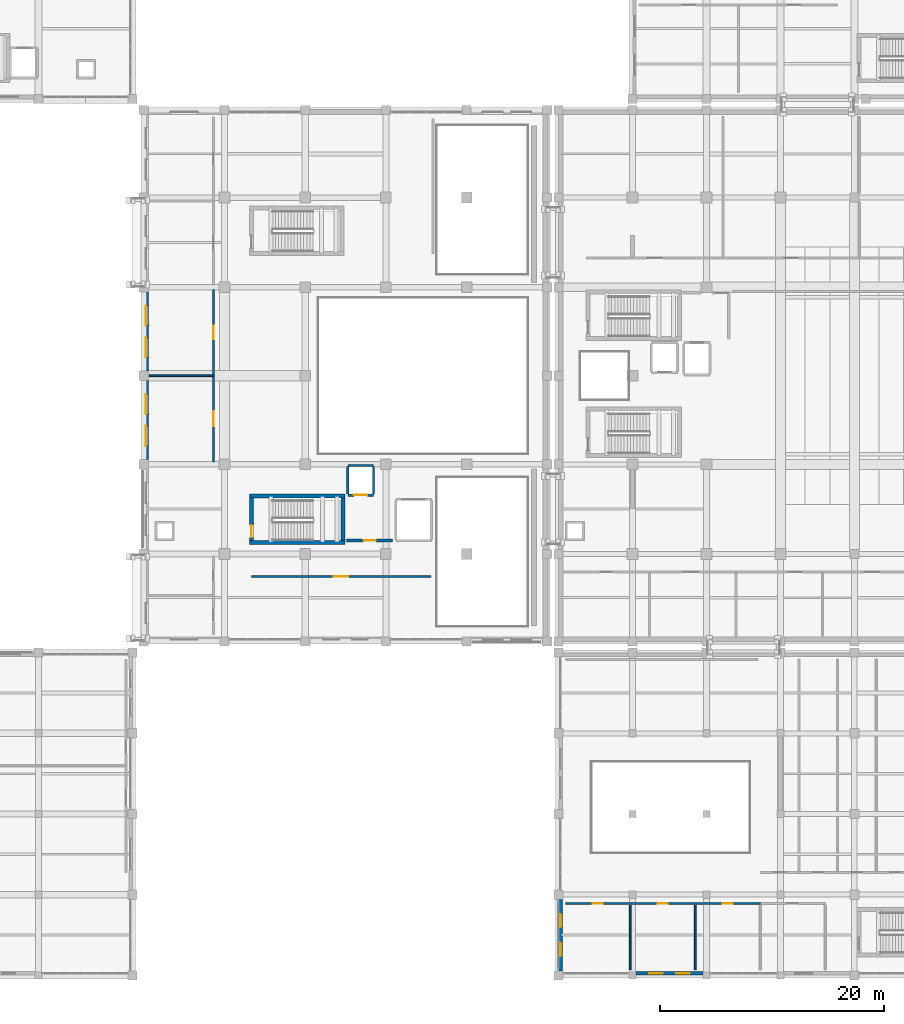
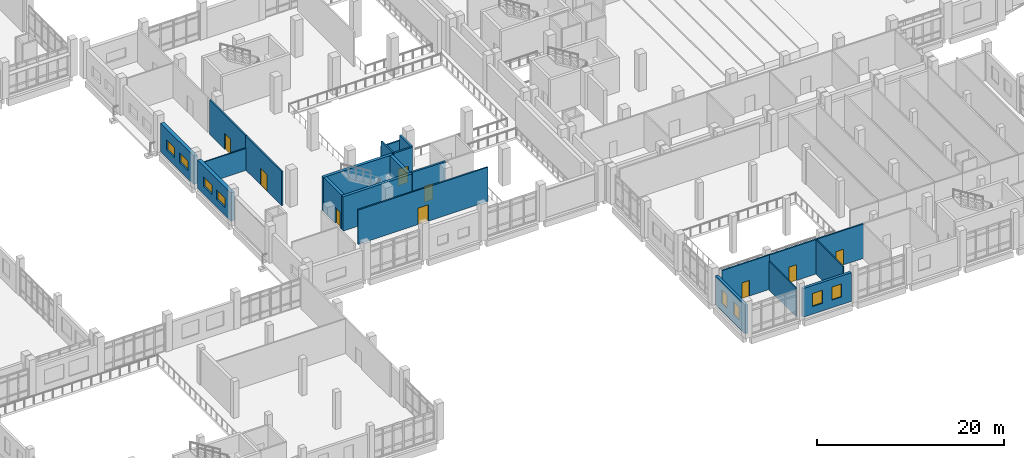
# One storey, part 64 of 90: 22 walls, 9 doors, 8 windows, 17 openings.
"""IFC4 building model written with IfcOpenShell, lengths in metres."""

from ifc_helpers import new_model, si_unit, direction, frame, frame_2d, origin, place, context, subcontext, project, spatial, rectangle, extrude, material, layer, layer_set, type_object, element, fill, save


model = new_model("IFC4")

# Units and contexts
model_context = context("Model", 3, precision=1e-05, world=origin(), true_north=direction((0.0, 1.0)))
body_context = subcontext(model_context, "Body", "Model", "MODEL_VIEW")
ifc_project = project(units=[si_unit("LENGTHUNIT", "METRE"), si_unit("AREAUNIT", "SQUARE_METRE"), si_unit("VOLUMEUNIT", "CUBIC_METRE"), si_unit("PLANEANGLEUNIT", "RADIAN"), si_unit("MASSUNIT", "GRAM", prefix="KILO")], contexts=[model_context])

# Site, building, storey
site_placement = place(None, origin())
site = spatial("IfcSite", under=ifc_project, at=site_placement, CompositionType="ELEMENT")
building_placement = place(site_placement, origin())
building = spatial("IfcBuilding", under=site, at=building_placement, Name="Kelarvand Opera House", CompositionType="ELEMENT")
storey_placement = place(building_placement, frame((0.0, 0.0, 5.39990234375)))
storey = spatial("IfcBuildingStorey", under=building, at=storey_placement, Name="L01", CompositionType="ELEMENT", Elevation=5.39990234375)

# Walls
ifc_material_1 = material(Name="Acoustic double-stud gypsum partition")
ifc_layer_1 = layer(ifc_material_1, 0.14990234375, Name="Acoustic double-stud gypsum partition")
ifc_layer_set_1 = layer_set([ifc_layer_1], Name="Acoustic double-stud gypsum partition")
wall_type_1 = type_object("IfcWallType", Name="Acoustic Room Partition Wall 150", PredefinedType="PARTITIONING", material=ifc_layer_set_1)
wall_1_placement = place(storey_placement, frame((52.5, 62.5, 0.0), z_axis=(0.0, 0.0, 1.0), x_axis=(1.0, 0.0, 0.0)))
element("IfcWall", 1, at=wall_1_placement, inside=storey, type_object=wall_type_1, Name="V2 L01 Partition Wall IW-150 (384)", PredefinedType="PARTITIONING", context=body_context, shape_type="SweptSolid", body=[
    extrude(rectangle(XDim=5.699951171875, YDim=0.14990234375, at=frame_2d((2.85009765625, 0.0))), origin(), (0.0, 0.0, 1.0), 2.8720703125),
])
wall_2_placement = place(storey_placement, frame((95.39990234375, 9.5, 0.0), z_axis=(0.0, 0.0, 1.0), x_axis=(0.0, 1.0, 0.0)))
element("IfcWall", 2, at=wall_2_placement, inside=storey, type_object=wall_type_1, Name="V6 L01 Partition Wall IW-150 (417)", PredefinedType="PARTITIONING", context=body_context, shape_type="SweptSolid", body=[
    extrude(rectangle(XDim=5.760009765625, YDim=0.14990234375, at=frame_2d((2.8798828125, 0.0))), origin(), (0.0, 0.0, 1.0), 3.7421875),
])
wall_3_placement = place(storey_placement, frame((101.199951171875, 9.5, 0.0), z_axis=(0.0, 0.0, 1.0), x_axis=(0.0, 1.0, 0.0)))
element("IfcWall", 3, at=wall_3_placement, inside=storey, type_object=wall_type_1, Name="V6 L01 Partition Wall IW-150 (419)", PredefinedType="PARTITIONING", context=body_context, shape_type="SweptSolid", body=[
    extrude(rectangle(XDim=5.760009765625, YDim=0.14990234375, at=frame_2d((2.8798828125, 0.0))), origin(), (0.0, 0.0, 1.0), 4.4921875),
])
ifc_material_2 = material(Name="Concrete C40/50", Category="concrete")
ifc_layer_2 = layer(ifc_material_2, 0.35009765625, Name="Concrete C40/50", Category="concrete")
ifc_layer_set_2 = layer_set([ifc_layer_2], Name="Concrete C40/50")
wall_type_2 = type_object("IfcWallType", Name="Core Stair and Lift Shear Wall 350", PredefinedType="SHEAR", material=ifc_layer_set_2)
for number, where, z_axis, x_axis, name in (
    (4, (61.449951171875, 47.625, 0.0), (0.0, 0.0, 1.0), (1.0, 0.0, 0.0), "C2 Stair Core Shear Wall S L01"),
    (5, (69.949951171875, 51.77490234375, 0.0), (0.0, 0.0, 1.0), (-1.0, 0.0, 0.0), "C2 Stair Core Shear Wall N L01"),
):
    element("IfcWall", number, at=place(storey_placement, frame(where, z_axis=z_axis, x_axis=x_axis)), inside=storey, type_object=wall_type_2, Name=name, PredefinedType="SHEAR", context=body_context, shape_type="SweptSolid", body=[
        extrude(rectangle(XDim=8.5, YDim=0.35009765625, at=frame_2d((4.25, 0.0))), origin(), (0.0, 0.0, 1.0), 4.47998046875),
    ])

# Wall, opening, door
wall_4_placement = place(storey_placement, frame((61.625, 47.800048828125, 0.0), z_axis=(0.0, 0.0, 1.0), x_axis=(0.0, 1.0, 0.0)))
wall_4 = element("IfcWall", 6, at=wall_4_placement, inside=storey, type_object=wall_type_2, Name="C2 Stair Core Shear Wall W L01", PredefinedType="SHEAR", context=body_context, shape_type="SweptSolid", body=[
    extrude(rectangle(XDim=3.800048828125, YDim=0.35009765625, at=frame_2d((1.89990234375, 0.0))), origin(), (0.0, 0.0, 1.0), 4.47998046875),
])
opening_1_placement = place(wall_4_placement, frame((0.280029296875, 0.0, 0.0)))
opening_1 = element("IfcOpeningElement", 7, at=opening_1_placement, cuts=wall_4, Name="Opening FD-01", PredefinedType="OPENING", context=body_context, shape_type="SweptSolid", body=[
    extrude(rectangle(XDim=1.10009765625, YDim=2.080078125, at=frame_2d((0.550048828125, 1.0400390625))), frame((0.0, 0.18505859375, 0.0), z_axis=(0.0, -1.0, 0.0), x_axis=(1.0, 0.0, 0.0)), (0.0, 0.0, 1.0), 0.3701171875),
])
ifc_material_3 = material(Name="Fire-rated brushed stainless steel", Category="steel")
door_type_1 = type_object("IfcDoorType", Name="Steel Fire-Rated Stair and FF Lobby Door 1100x2080", OperationType="NOTDEFINED", PredefinedType="DOOR", material=ifc_material_3)
door_1_placement = place(opening_1_placement, origin())
door_1 = element("IfcDoor", 8, at=door_1_placement, inside=storey, type_object=door_type_1, Name="C2 Stair ST-02 Fire Door L01", OperationType="SINGLE_SWING_RIGHT", OverallHeight=2.080078125, OverallWidth=1.10009765625, PredefinedType="DOOR", context=body_context, shape_type="SweptSolid", body=[
    extrude(rectangle(XDim=1.10009765625, YDim=2.080078125, at=frame_2d((0.550048828125, 1.0400390625))), frame((0.0, 0.02490234375, 0.0), z_axis=(0.0, -1.0, 0.0), x_axis=(1.0, 0.0, 0.0)), (0.0, 0.0, 1.0), 0.050048828125),
])
fill(opening_1, door_1)

# Wall
wall_5_placement = place(storey_placement, frame((69.77490234375, 51.60009765625, 0.0), z_axis=(0.0, 0.0, 1.0), x_axis=(0.0, -1.0, 0.0)))
element("IfcWall", 9, at=wall_5_placement, inside=storey, type_object=wall_type_2, Name="C2 Stair Core Shear Wall E L01", PredefinedType="SHEAR", context=body_context, shape_type="SweptSolid", body=[
    extrude(rectangle(XDim=3.800048828125, YDim=0.35009765625, at=frame_2d((1.89990234375, 0.0))), origin(), (0.0, 0.0, 1.0), 4.47998046875),
])

# Wall, opening, door
ifc_material_4 = material(Name="Concrete C35/45", Category="concrete")
ifc_layer_3 = layer(ifc_material_4, 0.179931640625, Name="Concrete C35/45", Category="concrete")
ifc_layer_set_3 = layer_set([ifc_layer_3], Name="Concrete C35/45")
wall_type_3 = type_object("IfcWallType", Name="Corridor Fire-Rated Partition Wall 180 EI90", PredefinedType="PARTITIONING", material=ifc_layer_set_3)
wall_6_placement = place(storey_placement, frame((61.60009765625, 44.60009765625, 0.0), z_axis=(0.0, 0.0, 1.0), x_axis=(1.0, 0.0, 0.0)))
wall_6 = element("IfcWall", 10, at=wall_6_placement, inside=storey, type_object=wall_type_3, Name="V2 L01 Partition Wall IW-90 (382)", PredefinedType="PARTITIONING", context=body_context, shape_type="SweptSolid", body=[
    extrude(rectangle(XDim=16.0, YDim=0.179931640625, at=frame_2d((8.0, 0.0))), origin(), (0.0, 0.0, 1.0), 4.47216796875),
])
opening_2_placement = place(wall_6_placement, frame((7.360107421875, 0.0, 0.0)))
opening_2 = element("IfcOpeningElement", 11, at=opening_2_placement, cuts=wall_6, Name="Opening D-11", PredefinedType="OPENING", context=body_context, shape_type="SweptSolid", body=[
    extrude(rectangle(XDim=1.280029296875, YDim=2.139892578125, at=frame_2d((0.64013671875, 1.06982421875))), frame((0.0, 0.10009765625, 0.0), z_axis=(0.0, -1.0, 0.0), x_axis=(1.0, 0.0, 0.0)), (0.0, 0.0, 1.0), 0.199951171875),
])
ifc_material_5 = material(Name="Acoustic walnut-veneered hardwood", Category="wood")
door_type_2 = type_object("IfcDoorType", Name="Instrument Store Leaf-and-Half Door 1280x2140", OperationType="NOTDEFINED", PredefinedType="DOOR", material=ifc_material_5)
door_2_placement = place(opening_2_placement, origin())
door_2 = element("IfcDoor", 12, at=door_2_placement, inside=storey, type_object=door_type_2, Name="V2 L01 Door D-11 (165)", OperationType="SINGLE_SWING_LEFT", OverallHeight=2.139892578125, OverallWidth=1.280029296875, PredefinedType="DOOR", context=body_context, shape_type="SweptSolid", body=[
    extrude(rectangle(XDim=1.280029296875, YDim=2.139892578125, at=frame_2d((0.64013671875, 1.06982421875))), frame((0.0, 0.02490234375, 0.0), z_axis=(0.0, -1.0, 0.0), x_axis=(1.0, 0.0, 0.0)), (0.0, 0.0, 1.0), 0.050048828125),
])
fill(opening_2, door_2)

wall_7_placement = place(storey_placement, frame((58.199951171875, 54.800048828125, 0.0), z_axis=(0.0, 0.0, 1.0), x_axis=(0.0, 1.0, 0.0)))
wall_7 = element("IfcWall", 13, at=wall_7_placement, inside=storey, type_object=wall_type_3, Name="V2 L01 Partition Wall IW-90 (383)", PredefinedType="PARTITIONING", context=body_context, shape_type="SweptSolid", body=[
    extrude(rectangle(XDim=7.699951171875, YDim=0.179931640625, at=frame_2d((3.85009765625, 0.0))), origin(), (0.0, 0.0, 1.0), 4.47216796875),
])
opening_3_placement = place(wall_7_placement, frame((3.175048828125, 0.0, 0.0)))
opening_3 = element("IfcOpeningElement", 14, at=opening_3_placement, cuts=wall_7, Name="Opening D-12", PredefinedType="OPENING", context=body_context, shape_type="SweptSolid", body=[
    extrude(rectangle(XDim=1.35009765625, YDim=2.159912109375, at=frame_2d((0.675048828125, 1.080078125))), frame((0.0, 0.10009765625, 0.0), z_axis=(0.0, -1.0, 0.0), x_axis=(1.0, 0.0, 0.0)), (0.0, 0.0, 1.0), 0.199951171875),
])
door_type_3 = type_object("IfcDoorType", Name="Wardrobe Studio Leaf-and-Half Door 1350x2160", OperationType="NOTDEFINED", PredefinedType="DOOR", material=ifc_material_5)
door_3_placement = place(opening_3_placement, origin())
door_3 = element("IfcDoor", 15, at=door_3_placement, inside=storey, type_object=door_type_3, Name="V2 L01 Door D-12 (166)", OperationType="SINGLE_SWING_RIGHT", OverallHeight=2.159912109375, OverallWidth=1.35009765625, PredefinedType="DOOR", context=body_context, shape_type="SweptSolid", body=[
    extrude(rectangle(XDim=1.35009765625, YDim=2.159912109375, at=frame_2d((0.675048828125, 1.080078125))), frame((0.0, 0.02490234375, 0.0), z_axis=(0.0, -1.0, 0.0), x_axis=(1.0, 0.0, 0.0)), (0.0, 0.0, 1.0), 0.050048828125),
])
fill(opening_3, door_3)

wall_8_placement = place(storey_placement, frame((58.199951171875, 62.5, 0.0), z_axis=(0.0, 0.0, 1.0), x_axis=(0.0, 1.0, 0.0)))
wall_8 = element("IfcWall", 16, at=wall_8_placement, inside=storey, type_object=wall_type_3, Name="V2 L01 Partition Wall IW-90 (385)", PredefinedType="PARTITIONING", context=body_context, shape_type="SweptSolid", body=[
    extrude(rectangle(XDim=7.699951171875, YDim=0.179931640625, at=frame_2d((3.85009765625, 0.0))), origin(), (0.0, 0.0, 1.0), 4.47216796875),
])
opening_4_placement = place(wall_8_placement, frame((3.25, 0.0, 0.0)))
opening_4 = element("IfcOpeningElement", 17, at=opening_4_placement, cuts=wall_8, Name="Opening D-06", PredefinedType="OPENING", context=body_context, shape_type="SweptSolid", body=[
    extrude(rectangle(XDim=1.199951171875, YDim=2.10009765625, at=frame_2d((0.60009765625, 1.050048828125))), frame((0.0, 0.10009765625, 0.0), z_axis=(0.0, -1.0, 0.0), x_axis=(1.0, 0.0, 0.0)), (0.0, 0.0, 1.0), 0.199951171875),
])
door_type_4 = type_object("IfcDoorType", Name="Accessible Suite Timber Door 1200x2100", OperationType="NOTDEFINED", PredefinedType="DOOR", material=ifc_material_5)
door_4_placement = place(opening_4_placement, origin())
door_4 = element("IfcDoor", 18, at=door_4_placement, inside=storey, type_object=door_type_4, Name="V2 L01 Door D-06 (167)", OperationType="SINGLE_SWING_LEFT", OverallHeight=2.10009765625, OverallWidth=1.199951171875, PredefinedType="DOOR", context=body_context, shape_type="SweptSolid", body=[
    extrude(rectangle(XDim=1.199951171875, YDim=2.10009765625, at=frame_2d((0.60009765625, 1.050048828125))), frame((0.0, 0.02490234375, 0.0), z_axis=(0.0, -1.0, 0.0), x_axis=(1.0, 0.0, 0.0)), (0.0, 0.0, 1.0), 0.050048828125),
])
fill(opening_4, door_4)

wall_9_placement = place(storey_placement, frame((89.60009765625, 15.39990234375, 0.0), z_axis=(0.0, 0.0, 1.0), x_axis=(1.0, 0.0, 0.0)))
wall_9 = element("IfcWall", 19, at=wall_9_placement, inside=storey, type_object=wall_type_3, Name="V6 L01 Partition Wall IW-90 (416)", PredefinedType="PARTITIONING", context=body_context, shape_type="SweptSolid", body=[
    extrude(rectangle(XDim=5.7998046875, YDim=0.179931640625, at=frame_2d((2.89990234375, 0.0))), origin(), (0.0, 0.0, 1.0), 4.4921875),
])
opening_5_placement = place(wall_9_placement, frame((2.43994140625, 0.0, 0.0)))
opening_5 = element("IfcOpeningElement", 20, at=opening_5_placement, cuts=wall_9, Name="Opening D-01", PredefinedType="OPENING", context=body_context, shape_type="SweptSolid", body=[
    extrude(rectangle(XDim=0.919921875, YDim=2.050048828125, at=frame_2d((0.4599609375, 1.02490234375))), frame((0.0, 0.10009765625, 0.0), z_axis=(0.0, -1.0, 0.0), x_axis=(1.0, 0.0, 0.0)), (0.0, 0.0, 1.0), 0.199951171875),
])
door_type_5 = type_object("IfcDoorType", Name="Solid Timber Dressing and WC Door 920x2050", OperationType="NOTDEFINED", PredefinedType="DOOR", material=ifc_material_5)
door_5_placement = place(opening_5_placement, origin())
door_5 = element("IfcDoor", 21, at=door_5_placement, inside=storey, type_object=door_type_5, Name="V6 L01 Door D-01 (186)", OperationType="SINGLE_SWING_LEFT", OverallHeight=2.050048828125, OverallWidth=0.919921875, PredefinedType="DOOR", context=body_context, shape_type="SweptSolid", body=[
    extrude(rectangle(XDim=0.919921875, YDim=2.050048828125, at=frame_2d((0.4599609375, 1.02490234375))), frame((0.0, 0.02490234375, 0.0), z_axis=(0.0, -1.0, 0.0), x_axis=(1.0, 0.0, 0.0)), (0.0, 0.0, 1.0), 0.050048828125),
])
fill(opening_5, door_5)

wall_10_placement = place(storey_placement, frame((95.39990234375, 15.39990234375, 0.0), z_axis=(0.0, 0.0, 1.0), x_axis=(1.0, 0.0, 0.0)))
wall_10 = element("IfcWall", 22, at=wall_10_placement, inside=storey, type_object=wall_type_3, Name="V6 L01 Partition Wall IW-90 (418)", PredefinedType="PARTITIONING", context=body_context, shape_type="SweptSolid", body=[
    extrude(rectangle(XDim=5.800048828125, YDim=0.179931640625, at=frame_2d((2.89990234375, 0.0))), origin(), (0.0, 0.0, 1.0), 4.4921875),
])
opening_6_placement = place(wall_10_placement, frame((2.43994140625, 0.0, 0.0)))
opening_6 = element("IfcOpeningElement", 23, at=opening_6_placement, cuts=wall_10, Name="Opening D-01", PredefinedType="OPENING", context=body_context, shape_type="SweptSolid", body=[
    extrude(rectangle(XDim=0.919921875, YDim=2.050048828125, at=frame_2d((0.4599609375, 1.02490234375))), frame((0.0, 0.10009765625, 0.0), z_axis=(0.0, -1.0, 0.0), x_axis=(1.0, 0.0, 0.0)), (0.0, 0.0, 1.0), 0.199951171875),
])
door_6_placement = place(opening_6_placement, origin())
door_6 = element("IfcDoor", 24, at=door_6_placement, inside=storey, type_object=door_type_5, Name="V6 L01 Door D-01 (187)", OperationType="SINGLE_SWING_RIGHT", OverallHeight=2.050048828125, OverallWidth=0.919921875, PredefinedType="DOOR", context=body_context, shape_type="SweptSolid", body=[
    extrude(rectangle(XDim=0.919921875, YDim=2.050048828125, at=frame_2d((0.4599609375, 1.02490234375))), frame((0.0, 0.02490234375, 0.0), z_axis=(0.0, -1.0, 0.0), x_axis=(1.0, 0.0, 0.0)), (0.0, 0.0, 1.0), 0.050048828125),
])
fill(opening_6, door_6)

wall_11_placement = place(storey_placement, frame((101.199951171875, 15.39990234375, 0.0), z_axis=(0.0, 0.0, 1.0), x_axis=(1.0, 0.0, 0.0)))
wall_11 = element("IfcWall", 25, at=wall_11_placement, inside=storey, type_object=wall_type_3, Name="V6 L01 Partition Wall IW-90 (420)", PredefinedType="PARTITIONING", context=body_context, shape_type="SweptSolid", body=[
    extrude(rectangle(XDim=5.800048828125, YDim=0.179931640625, at=frame_2d((2.89990234375, 0.0))), origin(), (0.0, 0.0, 1.0), 4.4921875),
])
opening_7_placement = place(wall_11_placement, frame((2.43994140625, 0.0, 0.0)))
opening_7 = element("IfcOpeningElement", 26, at=opening_7_placement, cuts=wall_11, Name="Opening D-01", PredefinedType="OPENING", context=body_context, shape_type="SweptSolid", body=[
    extrude(rectangle(XDim=0.919921875, YDim=2.050048828125, at=frame_2d((0.4599609375, 1.02490234375))), frame((0.0, 0.10009765625, 0.0), z_axis=(0.0, -1.0, 0.0), x_axis=(1.0, 0.0, 0.0)), (0.0, 0.0, 1.0), 0.199951171875),
])
door_7_placement = place(opening_7_placement, origin())
door_7 = element("IfcDoor", 27, at=door_7_placement, inside=storey, type_object=door_type_5, Name="V6 L01 Door D-01 (188)", OperationType="SINGLE_SWING_LEFT", OverallHeight=2.050048828125, OverallWidth=0.919921875, PredefinedType="DOOR", context=body_context, shape_type="SweptSolid", body=[
    extrude(rectangle(XDim=0.919921875, YDim=2.050048828125, at=frame_2d((0.4599609375, 1.02490234375))), frame((0.0, 0.02490234375, 0.0), z_axis=(0.0, -1.0, 0.0), x_axis=(1.0, 0.0, 0.0)), (0.0, 0.0, 1.0), 0.050048828125),
])
fill(opening_7, door_7)

ifc_layer_4 = layer(ifc_material_4, 0.239990234375, Name="Concrete C35/45", Category="concrete")
ifc_layer_set_4 = layer_set([ifc_layer_4], Name="Concrete C35/45")
wall_type_4 = type_object("IfcWallType", Name="Firefighting Lobby Partition Wall 240 EI120", PredefinedType="PARTITIONING", material=ifc_layer_set_4)
wall_12_placement = place(storey_placement, frame((70.10009765625, 47.800048828125, 0.0), z_axis=(0.0, 0.0, 1.0), x_axis=(1.0, 0.0, 0.0)))
wall_12 = element("IfcWall", 28, at=wall_12_placement, inside=storey, type_object=wall_type_4, Name="V2 L01 Partition Wall IW-120 (348)", PredefinedType="PARTITIONING", context=body_context, shape_type="SweptSolid", body=[
    extrude(rectangle(XDim=4.099853515625, YDim=0.239990234375, at=frame_2d((2.0498046875, 0.0))), origin(), (0.0, 0.0, 1.0), 4.47216796875),
])
opening_8_placement = place(wall_12_placement, frame((1.5, 0.0, 0.0)))
opening_8 = element("IfcOpeningElement", 29, at=opening_8_placement, cuts=wall_12, Name="Opening FD-01", PredefinedType="OPENING", context=body_context, shape_type="SweptSolid", body=[
    extrude(rectangle(XDim=1.10009765625, YDim=2.080078125, at=frame_2d((0.550048828125, 1.0400390625))), frame((0.0, 0.1298828125, 0.0), z_axis=(0.0, -1.0, 0.0), x_axis=(1.0, 0.0, 0.0)), (0.0, 0.0, 1.0), 0.260009765625),
])
door_8_placement = place(opening_8_placement, origin())
door_8 = element("IfcDoor", 30, at=door_8_placement, inside=storey, type_object=door_type_1, Name="V2 L01 Door FD-01 (151)", OperationType="SINGLE_SWING_RIGHT", OverallHeight=2.080078125, OverallWidth=1.10009765625, PredefinedType="DOOR", context=body_context, shape_type="SweptSolid", body=[
    extrude(rectangle(XDim=1.10009765625, YDim=2.080078125, at=frame_2d((0.550048828125, 1.0400390625))), frame((0.0, 0.02490234375, 0.0), z_axis=(0.0, -1.0, 0.0), x_axis=(1.0, 0.0, 0.0)), (0.0, 0.0, 1.0), 0.050048828125),
])
fill(opening_8, door_8)

# Wall, openings, windows
ifc_layer_5 = layer(ifc_material_4, 0.320068359375, Name="Concrete C35/45", Category="concrete")
ifc_layer_set_5 = layer_set([ifc_layer_5], Name="Concrete C35/45")
wall_type_5 = type_object("IfcWallType", Name="Insulated Buff Brick Cavity Wall 320", PredefinedType="SOLIDWALL", material=ifc_layer_set_5)
wall_13_placement = place(storey_placement, frame((89.179931640625, 9.409912109375, 0.0), z_axis=(0.0, 0.0, 1.0), x_axis=(0.0, 1.0, 0.0)))
wall_13 = element("IfcWall", 31, at=wall_13_placement, inside=storey, type_object=wall_type_5, Name="V6 L01 Exterior Wall EW-320 (730)", PredefinedType="SOLIDWALL", context=body_context, shape_type="SweptSolid", body=[
    extrude(rectangle(XDim=6.380126953125, YDim=0.320068359375, at=frame_2d((3.18994140625, 0.0))), origin(), (0.0, 0.0, 1.0), 3.7421875),
])
opening_9_placement = place(wall_13_placement, frame((1.31396484375, 0.0, 1.0)))
opening_9 = element("IfcOpeningElement", 32, at=opening_9_placement, cuts=wall_13, Name="Opening WN-16", PredefinedType="OPENING", context=body_context, shape_type="SweptSolid", body=[
    extrude(rectangle(XDim=1.199951171875, YDim=1.699951171875, at=frame_2d((0.60009765625, 0.85009765625))), frame((0.0, 0.169921875, 0.0), z_axis=(0.0, -1.0, 0.0), x_axis=(1.0, 0.0, 0.0)), (0.0, 0.0, 1.0), 0.340087890625),
])
opening_10_placement = place(wall_13_placement, frame((3.865966796875, 0.0, 1.0)))
opening_10 = element("IfcOpeningElement", 33, at=opening_10_placement, cuts=wall_13, Name="Opening WN-16", PredefinedType="OPENING", context=body_context, shape_type="SweptSolid", body=[
    extrude(rectangle(XDim=1.199951171875, YDim=1.699951171875, at=frame_2d((0.60009765625, 0.85009765625))), frame((0.0, 0.169921875, 0.0), z_axis=(0.0, -1.0, 0.0), x_axis=(1.0, 0.0, 0.0)), (0.0, 0.0, 1.0), 0.340087890625),
])
ifc_material_6 = material(Name="Thermally broken aluminium and low-E double glazing", Category="aluminium")
window_type_1 = type_object("IfcWindowType", Name="Recessed Aluminium Thermal Window 1200x1700 WN-16", PartitioningType="SINGLE_PANEL", PredefinedType="WINDOW", material=ifc_material_6)
window_1_placement = place(opening_9_placement, origin())
window_1 = element("IfcWindow", 34, at=window_1_placement, inside=storey, type_object=window_type_1, Name="V6 L01 Facade Window WN-16 (331)", OverallHeight=1.699951171875, OverallWidth=1.199951171875, PartitioningType="SINGLE_PANEL", PredefinedType="WINDOW", context=body_context, shape_type="SweptSolid", body=[
    extrude(rectangle(XDim=1.199951171875, YDim=1.699951171875, at=frame_2d((0.60009765625, 0.85009765625))), frame((0.0, 0.030029296875, 0.0), z_axis=(0.0, -1.0, 0.0), x_axis=(1.0, 0.0, 0.0)), (0.0, 0.0, 1.0), 0.06005859375),
])
fill(opening_9, window_1)
window_2_placement = place(opening_10_placement, origin())
window_2 = element("IfcWindow", 35, at=window_2_placement, inside=storey, type_object=window_type_1, Name="V6 L01 Facade Window WN-16 (332)", OverallHeight=1.699951171875, OverallWidth=1.199951171875, PartitioningType="SINGLE_PANEL", PredefinedType="WINDOW", context=body_context, shape_type="SweptSolid", body=[
    extrude(rectangle(XDim=1.199951171875, YDim=1.699951171875, at=frame_2d((0.60009765625, 0.85009765625))), frame((0.0, 0.030029296875, 0.0), z_axis=(0.0, -1.0, 0.0), x_axis=(1.0, 0.0, 0.0)), (0.0, 0.0, 1.0), 0.06005859375),
])
fill(opening_10, window_2)

wall_14_placement = place(storey_placement, frame((101.875, 9.179931640625, 0.0), z_axis=(0.0, 0.0, 1.0), x_axis=(-1.0, 0.0, 0.0)))
wall_14 = element("IfcWall", 36, at=wall_14_placement, inside=storey, type_object=wall_type_5, Name="V6 L01 Exterior Wall EW-320 (734)", PredefinedType="SOLIDWALL", context=body_context, shape_type="SweptSolid", body=[
    extrude(rectangle(XDim=5.949951171875, YDim=0.320068359375, at=frame_2d((2.97509765625, 0.0))), origin(), (0.0, 0.0, 1.0), 3.7421875),
])
opening_11_placement = place(wall_14_placement, frame((1.18505859375, 0.0, 1.0)))
opening_11 = element("IfcOpeningElement", 37, at=opening_11_placement, cuts=wall_14, Name="Opening WN-16", PredefinedType="OPENING", context=body_context, shape_type="SweptSolid", body=[
    extrude(rectangle(XDim=1.199951171875, YDim=1.699951171875, at=frame_2d((0.60009765625, 0.85009765625))), frame((0.0, 0.169921875, 0.0), z_axis=(0.0, -1.0, 0.0), x_axis=(1.0, 0.0, 0.0)), (0.0, 0.0, 1.0), 0.340087890625),
])
opening_12_placement = place(wall_14_placement, frame((3.56494140625, 0.0, 1.0)))
opening_12 = element("IfcOpeningElement", 38, at=opening_12_placement, cuts=wall_14, Name="Opening WN-16", PredefinedType="OPENING", context=body_context, shape_type="SweptSolid", body=[
    extrude(rectangle(XDim=1.199951171875, YDim=1.699951171875, at=frame_2d((0.60009765625, 0.85009765625))), frame((0.0, 0.169921875, 0.0), z_axis=(0.0, -1.0, 0.0), x_axis=(1.0, 0.0, 0.0)), (0.0, 0.0, 1.0), 0.340087890625),
])
window_3_placement = place(opening_11_placement, origin())
window_3 = element("IfcWindow", 39, at=window_3_placement, inside=storey, type_object=window_type_1, Name="V6 L01 Facade Window WN-16 (338)", OverallHeight=1.699951171875, OverallWidth=1.199951171875, PartitioningType="SINGLE_PANEL", PredefinedType="WINDOW", context=body_context, shape_type="SweptSolid", body=[
    extrude(rectangle(XDim=1.199951171875, YDim=1.699951171875, at=frame_2d((0.60009765625, 0.85009765625))), frame((0.0, 0.030029296875, 0.0), z_axis=(0.0, -1.0, 0.0), x_axis=(1.0, 0.0, 0.0)), (0.0, 0.0, 1.0), 0.06005859375),
])
fill(opening_11, window_3)
window_4_placement = place(opening_12_placement, origin())
window_4 = element("IfcWindow", 40, at=window_4_placement, inside=storey, type_object=window_type_1, Name="V6 L01 Facade Window WN-16 (339)", OverallHeight=1.699951171875, OverallWidth=1.199951171875, PartitioningType="SINGLE_PANEL", PredefinedType="WINDOW", context=body_context, shape_type="SweptSolid", body=[
    extrude(rectangle(XDim=1.199951171875, YDim=1.699951171875, at=frame_2d((0.60009765625, 0.85009765625))), frame((0.0, 0.030029296875, 0.0), z_axis=(0.0, -1.0, 0.0), x_axis=(1.0, 0.0, 0.0)), (0.0, 0.0, 1.0), 0.06005859375),
])
fill(opening_12, window_4)

# Wall, opening, door
ifc_layer_6 = layer(ifc_material_4, 0.199951171875, Name="Concrete C35/45", Category="concrete")
ifc_layer_set_6 = layer_set([ifc_layer_6], Name="Concrete C35/45")
wall_type_6 = type_object("IfcWallType", Name="Lift and Riser Shaft Enclosure Wall 200 EI120", PredefinedType="PARTITIONING", material=ifc_layer_set_6)
wall_15_placement = place(storey_placement, frame((70.199951171875, 51.85009765625, 0.0), z_axis=(0.0, 0.0, 1.0), x_axis=(1.0, 0.0, 0.0)))
wall_15 = element("IfcWall", 41, at=wall_15_placement, inside=storey, type_object=wall_type_6, Name="V2 L01 Partition Wall SW-200 (340)", PredefinedType="PARTITIONING", context=body_context, shape_type="SweptSolid", body=[
    extrude(rectangle(XDim=2.300048828125, YDim=0.199951171875, at=frame_2d((1.14990234375, 0.0))), origin(), (0.0, 0.0, 1.0), 4.47216796875),
])
opening_13_placement = place(wall_15_placement, frame((0.550048828125, 0.0, 0.0)))
opening_13 = element("IfcOpeningElement", 42, at=opening_13_placement, cuts=wall_15, Name="Opening LD-02", PredefinedType="OPENING", context=body_context, shape_type="SweptSolid", body=[
    extrude(rectangle(XDim=1.199951171875, YDim=2.14990234375, at=frame_2d((0.60009765625, 1.074951171875))), frame((0.0, 0.10986328125, 0.0), z_axis=(0.0, -1.0, 0.0), x_axis=(1.0, 0.0, 0.0)), (0.0, 0.0, 1.0), 0.219970703125),
])
door_type_6 = type_object("IfcDoorType", Name="Firefighting Lift Sliding Landing Door 1200x2150", OperationType="SLIDING_TO_LEFT", PredefinedType="DOOR", material=ifc_material_3)
door_9_placement = place(opening_13_placement, origin())
door_9 = element("IfcDoor", 43, at=door_9_placement, inside=storey, type_object=door_type_6, Name="V2 L01 Door LD-02 (149)", OperationType="SLIDING_TO_LEFT", OverallHeight=2.14990234375, OverallWidth=1.199951171875, PredefinedType="DOOR", context=body_context, shape_type="SweptSolid", body=[
    extrude(rectangle(XDim=1.199951171875, YDim=2.14990234375, at=frame_2d((0.60009765625, 1.074951171875))), frame((0.0, 0.02490234375, 0.0), z_axis=(0.0, -1.0, 0.0), x_axis=(1.0, 0.0, 0.0)), (0.0, 0.0, 1.0), 0.050048828125),
])
fill(opening_13, door_9)

# Walls
wall_16_placement = place(storey_placement, frame((72.5, 54.5, 0.0), z_axis=(0.0, 0.0, 1.0), x_axis=(-1.0, 0.0, 0.0)))
element("IfcWall", 44, at=wall_16_placement, inside=storey, type_object=wall_type_6, Name="V2 L01 Partition Wall SW-200 (341)", PredefinedType="PARTITIONING", context=body_context, shape_type="SweptSolid", body=[
    extrude(rectangle(XDim=2.300048828125, YDim=0.199951171875, at=frame_2d((1.14990234375, 0.0))), origin(), (0.0, 0.0, 1.0), 3.72216796875),
])
for number, where, z_axis, x_axis, name in (
    (45, (70.199951171875, 51.949951171875, 0.0), (0.0, 0.0, 1.0), (0.0, 1.0, 0.0), "V2 L01 Partition Wall SW-200 (342)"),
    (46, (72.5, 54.39990234375, 0.0), (0.0, 0.0, 1.0), (0.0, -1.0, 0.0), "V2 L01 Partition Wall SW-200 (343)"),
):
    element("IfcWall", number, at=place(storey_placement, frame(where, z_axis=z_axis, x_axis=x_axis)), inside=storey, type_object=wall_type_6, Name=name, PredefinedType="PARTITIONING", context=body_context, shape_type="SweptSolid", body=[
        extrude(rectangle(XDim=2.449951171875, YDim=0.199951171875, at=frame_2d((1.22509765625, 0.0))), origin(), (0.0, 0.0, 1.0), 4.47216796875),
    ])

# Wall, openings, windows
ifc_layer_7 = layer(ifc_material_4, 0.43994140625, Name="Concrete C35/45", Category="concrete")
ifc_layer_set_7 = layer_set([ifc_layer_7], Name="Concrete C35/45")
wall_type_7 = type_object("IfcWallType", Name="Stage House Acoustic Cavity Wall 440", PredefinedType="SOLIDWALL", material=ifc_layer_set_7)
wall_17_placement = place(storey_placement, frame((52.179931640625, 55.010009765625, 0.0), z_axis=(0.0, 0.0, 1.0), x_axis=(0.0, 1.0, 0.0)))
wall_17 = element("IfcWall", 47, at=wall_17_placement, inside=storey, type_object=wall_type_7, Name="V2 L01 Exterior Wall EW-440 (251)", PredefinedType="SOLIDWALL", context=body_context, shape_type="SweptSolid", body=[
    extrude(rectangle(XDim=7.080078125, YDim=0.43994140625, at=frame_2d((3.5400390625, 0.0))), origin(), (0.0, 0.0, 1.0), 3.72216796875),
])
opening_14_placement = place(wall_17_placement, frame((1.22412109375, 0.0, 1.050048828125)))
opening_14 = element("IfcOpeningElement", 48, at=opening_14_placement, cuts=wall_17, Name="Opening WN-23", PredefinedType="OPENING", context=body_context, shape_type="SweptSolid", body=[
    extrude(rectangle(XDim=1.800048828125, YDim=1.25, at=frame_2d((0.89990234375, 0.625))), frame((0.0, 0.22998046875, 0.0), z_axis=(0.0, -1.0, 0.0), x_axis=(1.0, 0.0, 0.0)), (0.0, 0.0, 1.0), 0.4599609375),
])
opening_15_placement = place(wall_17_placement, frame((4.055908203125, 0.0, 1.050048828125)))
opening_15 = element("IfcOpeningElement", 49, at=opening_15_placement, cuts=wall_17, Name="Opening WN-23", PredefinedType="OPENING", context=body_context, shape_type="SweptSolid", body=[
    extrude(rectangle(XDim=1.800048828125, YDim=1.25, at=frame_2d((0.89990234375, 0.625))), frame((0.0, 0.22998046875, 0.0), z_axis=(0.0, -1.0, 0.0), x_axis=(1.0, 0.0, 0.0)), (0.0, 0.0, 1.0), 0.4599609375),
])
window_type_2 = type_object("IfcWindowType", Name="Recessed Aluminium Thermal Window 1800x1250 WN-23", PartitioningType="SINGLE_PANEL", PredefinedType="WINDOW", material=ifc_material_6)
window_5_placement = place(opening_14_placement, origin())
window_5 = element("IfcWindow", 50, at=window_5_placement, inside=storey, type_object=window_type_2, Name="V2 L01 Facade Window WN-23 (25)", OverallHeight=1.25, OverallWidth=1.800048828125, PartitioningType="SINGLE_PANEL", PredefinedType="WINDOW", context=body_context, shape_type="SweptSolid", body=[
    extrude(rectangle(XDim=1.800048828125, YDim=1.25, at=frame_2d((0.89990234375, 0.625))), frame((0.0, 0.030029296875, 0.0), z_axis=(0.0, -1.0, 0.0), x_axis=(1.0, 0.0, 0.0)), (0.0, 0.0, 1.0), 0.06005859375),
])
fill(opening_14, window_5)
window_6_placement = place(opening_15_placement, origin())
window_6 = element("IfcWindow", 51, at=window_6_placement, inside=storey, type_object=window_type_2, Name="V2 L01 Facade Window WN-23 (26)", OverallHeight=1.25, OverallWidth=1.800048828125, PartitioningType="SINGLE_PANEL", PredefinedType="WINDOW", context=body_context, shape_type="SweptSolid", body=[
    extrude(rectangle(XDim=1.800048828125, YDim=1.25, at=frame_2d((0.89990234375, 0.625))), frame((0.0, 0.030029296875, 0.0), z_axis=(0.0, -1.0, 0.0), x_axis=(1.0, 0.0, 0.0)), (0.0, 0.0, 1.0), 0.06005859375),
])
fill(opening_15, window_6)

wall_18_placement = place(storey_placement, frame((52.179931640625, 62.909912109375, 0.0), z_axis=(0.0, 0.0, 1.0), x_axis=(0.0, 1.0, 0.0)))
wall_18 = element("IfcWall", 52, at=wall_18_placement, inside=storey, type_object=wall_type_7, Name="V2 L01 Exterior Wall EW-440 (252)", PredefinedType="SOLIDWALL", context=body_context, shape_type="SweptSolid", body=[
    extrude(rectangle(XDim=7.080078125, YDim=0.43994140625, at=frame_2d((3.5400390625, 0.0))), origin(), (0.0, 0.0, 1.0), 3.72216796875),
])
opening_16_placement = place(wall_18_placement, frame((1.22412109375, 0.0, 1.050048828125)))
opening_16 = element("IfcOpeningElement", 53, at=opening_16_placement, cuts=wall_18, Name="Opening WN-23", PredefinedType="OPENING", context=body_context, shape_type="SweptSolid", body=[
    extrude(rectangle(XDim=1.800048828125, YDim=1.25, at=frame_2d((0.89990234375, 0.625))), frame((0.0, 0.22998046875, 0.0), z_axis=(0.0, -1.0, 0.0), x_axis=(1.0, 0.0, 0.0)), (0.0, 0.0, 1.0), 0.4599609375),
])
opening_17_placement = place(wall_18_placement, frame((4.055908203125, 0.0, 1.050048828125)))
opening_17 = element("IfcOpeningElement", 54, at=opening_17_placement, cuts=wall_18, Name="Opening WN-23", PredefinedType="OPENING", context=body_context, shape_type="SweptSolid", body=[
    extrude(rectangle(XDim=1.800048828125, YDim=1.25, at=frame_2d((0.89990234375, 0.625))), frame((0.0, 0.22998046875, 0.0), z_axis=(0.0, -1.0, 0.0), x_axis=(1.0, 0.0, 0.0)), (0.0, 0.0, 1.0), 0.4599609375),
])
window_7_placement = place(opening_16_placement, origin())
window_7 = element("IfcWindow", 55, at=window_7_placement, inside=storey, type_object=window_type_2, Name="V2 L01 Facade Window WN-23 (27)", OverallHeight=1.25, OverallWidth=1.800048828125, PartitioningType="SINGLE_PANEL", PredefinedType="WINDOW", context=body_context, shape_type="SweptSolid", body=[
    extrude(rectangle(XDim=1.800048828125, YDim=1.25, at=frame_2d((0.89990234375, 0.625))), frame((0.0, 0.030029296875, 0.0), z_axis=(0.0, -1.0, 0.0), x_axis=(1.0, 0.0, 0.0)), (0.0, 0.0, 1.0), 0.06005859375),
])
fill(opening_16, window_7)
window_8_placement = place(opening_17_placement, origin())
window_8 = element("IfcWindow", 56, at=window_8_placement, inside=storey, type_object=window_type_2, Name="V2 L01 Facade Window WN-23 (28)", OverallHeight=1.25, OverallWidth=1.800048828125, PartitioningType="SINGLE_PANEL", PredefinedType="WINDOW", context=body_context, shape_type="SweptSolid", body=[
    extrude(rectangle(XDim=1.800048828125, YDim=1.25, at=frame_2d((0.89990234375, 0.625))), frame((0.0, 0.030029296875, 0.0), z_axis=(0.0, -1.0, 0.0), x_axis=(1.0, 0.0, 0.0)), (0.0, 0.0, 1.0), 0.06005859375),
])
fill(opening_17, window_8)

save(model, "model.ifc")
